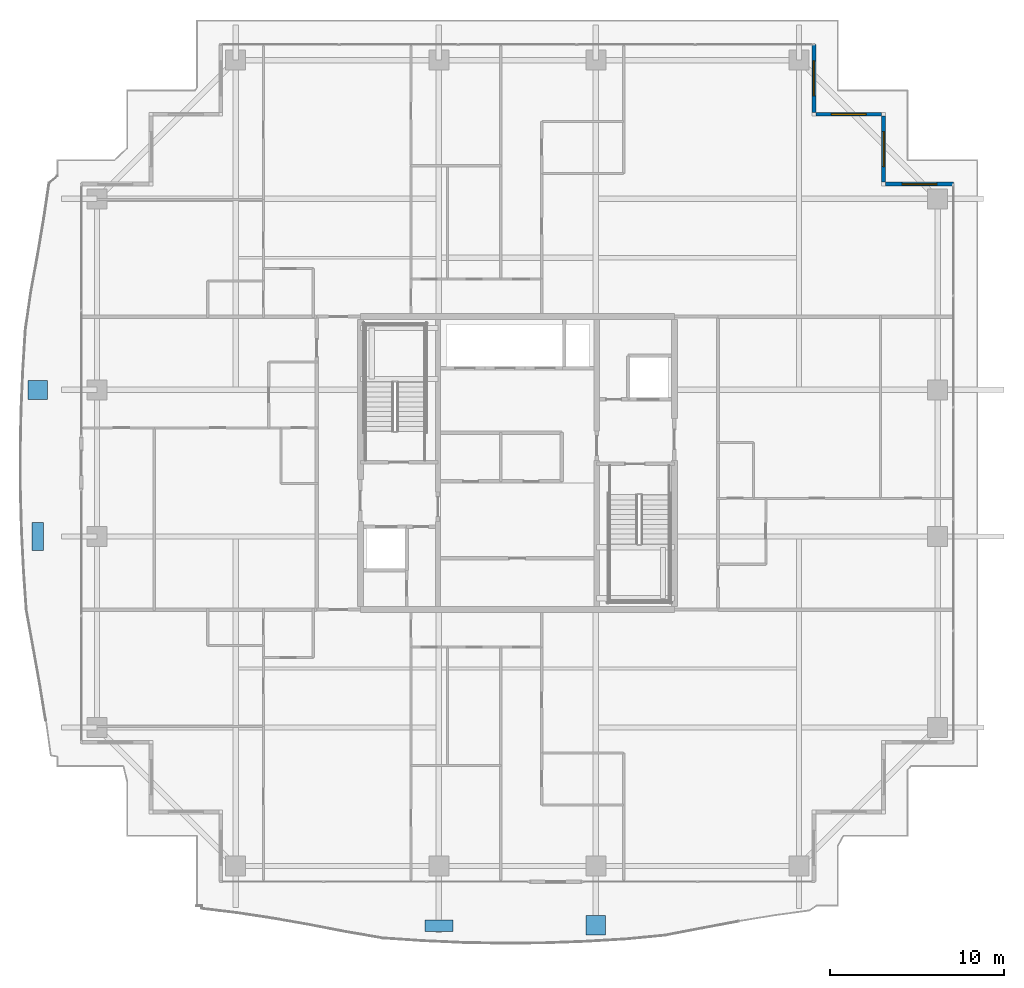
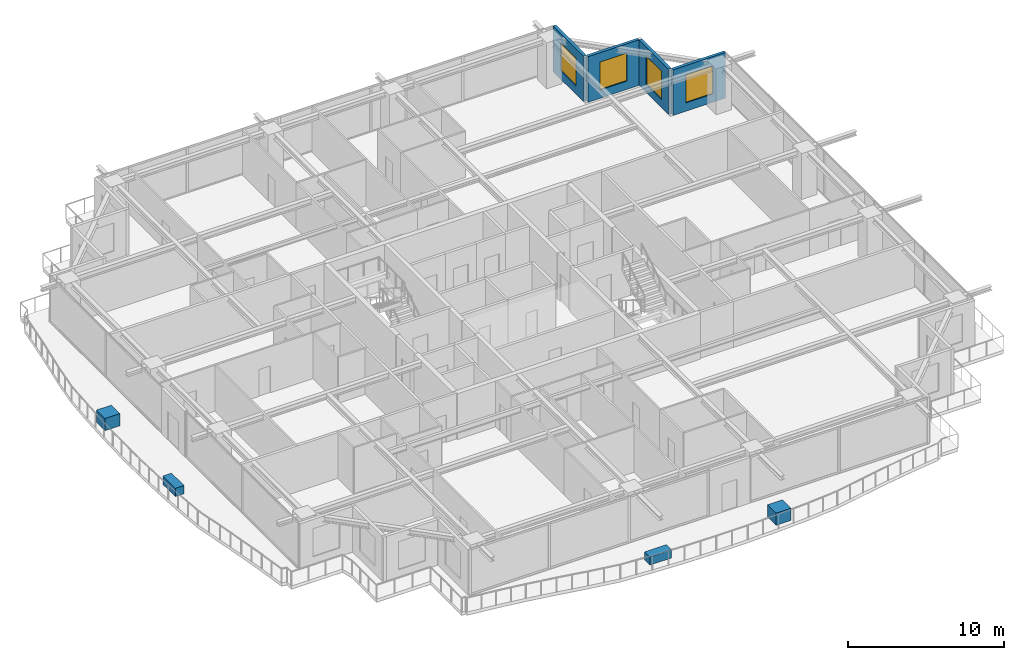
# One storey, part 29 of 36: 4 discrete accessories, 4 walls, 4 windows, 4 openings.
"""IFC4 building model written with IfcOpenShell, lengths in metres."""

from ifc_helpers import new_model, si_unit, direction, frame, frame_2d, origin, origin_2d, place, context, subcontext, project, spatial, rectangle, extrude, source, transform, mapped, material, layer, layer_set, type_object, element, fill, save


model = new_model("IFC4")

# Units and contexts
model_context = context("Model", 3, precision=1e-05, world=origin(), true_north=direction((0.0, 1.0)))
body_context = subcontext(model_context, "Body", "Model", "MODEL_VIEW")
ifc_project = project(units=[si_unit("LENGTHUNIT", "METRE"), si_unit("AREAUNIT", "SQUARE_METRE"), si_unit("VOLUMEUNIT", "CUBIC_METRE"), si_unit("PLANEANGLEUNIT", "RADIAN"), si_unit("MASSUNIT", "GRAM", prefix="KILO")], contexts=[model_context])

# Site, building, storey
site_placement = place(None, origin())
site = spatial("IfcSite", under=ifc_project, at=site_placement, CompositionType="ELEMENT")
building_placement = place(site_placement, origin())
building = spatial("IfcBuilding", under=site, at=building_placement, Name="Serunith Strait Residences", CompositionType="ELEMENT")
storey_placement = place(building_placement, frame((0.0, 0.0, 225.85009765625)))
storey = spatial("IfcBuildingStorey", under=building, at=storey_placement, Name="L56", CompositionType="ELEMENT", Elevation=225.85009765625)

# Wall, opening, window
ifc_material_1 = material(Name="Pale-Champagne Aluminium Insulated Panel", Category="aluminium")
ifc_layer = layer(ifc_material_1, 0.219970703125, Name="Pale-Champagne Aluminium Insulated Panel")
ifc_layer_set = layer_set([ifc_layer], Name="Pale-Champagne Aluminium Insulated Panel")
wall_type = type_object("IfcWallType", Name="EW-ALUM-220", PredefinedType="ELEMENTEDWALL", material=ifc_layer_set)
wall_1_placement = place(storey_placement, frame((57.39990234375, 41.199951171875, 0.0), z_axis=(0.0, 0.0, 1.0), x_axis=(-1.0, 0.0, 0.0)))
wall_1 = element("IfcWall", 1, at=wall_1_placement, inside=storey, type_object=wall_type, Name="L56 Girih Serrated Corner Wall 07", PredefinedType="ELEMENTEDWALL", context=body_context, shape_type="SweptSolid", body=[
    extrude(rectangle(XDim=3.889892578125, YDim=0.219970703125, at=frame_2d((1.94482421875, 0.0))), origin(), (0.0, 0.0, 1.0), 3.574951171875),
])
opening_1_placement = place(wall_1_placement, frame((0.945068359375, 0.0, 0.64990234375)))
opening_1 = element("IfcOpeningElement", 2, at=opening_1_placement, cuts=wall_1, Name="Opening W-04", PredefinedType="OPENING", context=body_context, shape_type="SweptSolid", body=[
    extrude(rectangle(XDim=2.0, YDim=2.199951171875, at=frame_2d((1.0, 1.10009765625))), frame((0.0, 0.1201171875, 0.0), z_axis=(0.0, -1.0, 0.0), x_axis=(1.0, 0.0, 0.0)), (0.0, 0.0, 1.0), 0.239990234375),
])
ifc_material_2 = material(Name="Ceramic-Fritted Operable Aluminium Window Glass", Category="aluminium")
window_type = type_object("IfcWindowType", Name="WIN-C4", PartitioningType="TRIPLE_PANEL_VERTICAL", PredefinedType="WINDOW", material=ifc_material_2)
shared_shape_1 = source(origin(), body_context, "Body", "SweptSolid", [
    extrude(rectangle(XDim=2.0, YDim=2.199951171875, at=frame_2d((1.0, 1.10009765625))), frame((0.0, 0.030029296875, 0.0), z_axis=(0.0, -1.0, 0.0), x_axis=(1.0, 0.0, 0.0)), (0.0, 0.0, 1.0), 0.06005859375),
])
window_1_placement = place(opening_1_placement, origin())
window_1 = element("IfcWindow", 3, at=window_1_placement, inside=storey, type_object=window_type, Name="L56 Corner Operable Fritted Window 07", OverallHeight=2.199951171875, OverallWidth=2.0, PartitioningType="SINGLE_PANEL", PredefinedType="WINDOW", context=body_context, shape_type="MappedRepresentation", body=[
    mapped(shared_shape_1, transform((0.0, 0.0, 0.0), scale=1.0)),
])
fill(opening_1, window_1)

wall_2_placement = place(storey_placement, frame((53.39990234375, 41.31005859375, 0.0), z_axis=(0.0, 0.0, 1.0), x_axis=(0.0, 1.0, 0.0)))
wall_2 = element("IfcWall", 4, at=wall_2_placement, inside=storey, type_object=wall_type, Name="L56 Girih Serrated Corner Wall 08", PredefinedType="ELEMENTEDWALL", context=body_context, shape_type="SweptSolid", body=[
    extrude(rectangle(XDim=3.780029296875, YDim=0.219970703125, at=frame_2d((1.89013671875, 0.0))), origin(), (0.0, 0.0, 1.0), 3.574951171875),
])
opening_2_placement = place(wall_2_placement, frame((0.889892578125, 0.0, 0.64990234375)))
opening_2 = element("IfcOpeningElement", 5, at=opening_2_placement, cuts=wall_2, Name="Opening W-04", PredefinedType="OPENING", context=body_context, shape_type="SweptSolid", body=[
    extrude(rectangle(XDim=2.0, YDim=2.199951171875, at=frame_2d((1.0, 1.10009765625))), frame((0.0, 0.1201171875, 0.0), z_axis=(0.0, -1.0, 0.0), x_axis=(1.0, 0.0, 0.0)), (0.0, 0.0, 1.0), 0.239990234375),
])
window_2_placement = place(opening_2_placement, origin())
window_2 = element("IfcWindow", 6, at=window_2_placement, inside=storey, type_object=window_type, Name="L56 Corner Operable Fritted Window 08", OverallHeight=2.199951171875, OverallWidth=2.0, PartitioningType="SINGLE_PANEL", PredefinedType="WINDOW", context=body_context, shape_type="MappedRepresentation", body=[
    mapped(shared_shape_1, transform((0.0, 0.0, 0.0), scale=1.0)),
])
fill(opening_2, window_2)

wall_3_placement = place(storey_placement, frame((53.2900390625, 45.199951171875, 0.0), z_axis=(0.0, 0.0, 1.0), x_axis=(-1.0, 0.0, 0.0)))
wall_3 = element("IfcWall", 7, at=wall_3_placement, inside=storey, type_object=wall_type, Name="L56 Girih Serrated Corner Wall 09", PredefinedType="ELEMENTEDWALL", context=body_context, shape_type="SweptSolid", body=[
    extrude(rectangle(XDim=3.780029296875, YDim=0.219970703125, at=frame_2d((1.89013671875, 0.0))), origin(), (0.0, 0.0, 1.0), 3.574951171875),
])
opening_3_placement = place(wall_3_placement, frame((0.889892578125, 0.0, 0.64990234375)))
opening_3 = element("IfcOpeningElement", 8, at=opening_3_placement, cuts=wall_3, Name="Opening W-04", PredefinedType="OPENING", context=body_context, shape_type="SweptSolid", body=[
    extrude(rectangle(XDim=2.0, YDim=2.199951171875, at=frame_2d((1.0, 1.10009765625))), frame((0.0, 0.1201171875, 0.0), z_axis=(0.0, -1.0, 0.0), x_axis=(1.0, 0.0, 0.0)), (0.0, 0.0, 1.0), 0.239990234375),
])
window_3_placement = place(opening_3_placement, origin())
window_3 = element("IfcWindow", 9, at=window_3_placement, inside=storey, type_object=window_type, Name="L56 Corner Operable Fritted Window 09", OverallHeight=2.199951171875, OverallWidth=2.0, PartitioningType="SINGLE_PANEL", PredefinedType="WINDOW", context=body_context, shape_type="MappedRepresentation", body=[
    mapped(shared_shape_1, transform((0.0, 0.0, 0.0), scale=1.0)),
])
fill(opening_3, window_3)

wall_4_placement = place(storey_placement, frame((49.39990234375, 45.31005859375, 0.0), z_axis=(0.0, 0.0, 1.0), x_axis=(0.0, 1.0, 0.0)))
wall_4 = element("IfcWall", 10, at=wall_4_placement, inside=storey, type_object=wall_type, Name="L56 Girih Serrated Corner Wall 10", PredefinedType="ELEMENTEDWALL", context=body_context, shape_type="SweptSolid", body=[
    extrude(rectangle(XDim=3.889892578125, YDim=0.219970703125, at=frame_2d((1.94482421875, 0.0))), origin(), (0.0, 0.0, 1.0), 3.574951171875),
])
opening_4_placement = place(wall_4_placement, frame((0.945068359375, 0.0, 0.64990234375)))
opening_4 = element("IfcOpeningElement", 11, at=opening_4_placement, cuts=wall_4, Name="Opening W-04", PredefinedType="OPENING", context=body_context, shape_type="SweptSolid", body=[
    extrude(rectangle(XDim=2.0, YDim=2.199951171875, at=frame_2d((1.0, 1.10009765625))), frame((0.0, 0.1201171875, 0.0), z_axis=(0.0, -1.0, 0.0), x_axis=(1.0, 0.0, 0.0)), (0.0, 0.0, 1.0), 0.239990234375),
])
window_4_placement = place(opening_4_placement, origin())
window_4 = element("IfcWindow", 12, at=window_4_placement, inside=storey, type_object=window_type, Name="L56 Corner Operable Fritted Window 10", OverallHeight=2.199951171875, OverallWidth=2.0, PartitioningType="SINGLE_PANEL", PredefinedType="WINDOW", context=body_context, shape_type="MappedRepresentation", body=[
    mapped(shared_shape_1, transform((0.0, 0.0, 0.0), scale=1.0)),
])
fill(opening_4, window_4)

# Discrete accessories
ifc_material_3 = material(Name="GFRC Root-Anchored Structural Planter")
discrete_accessory_type_1 = type_object("IfcDiscreteAccessoryType", Name="ACC-PLANTER-TREE", PredefinedType="USERDEFINED", material=ifc_material_3)
shared_shape_2 = source(origin(), body_context, "Body", "SweptSolid", [
    extrude(rectangle(XDim=1.10009765625, YDim=1.10009765625, at=origin_2d()), origin(), (0.0, 0.0, 1.0), 0.949951171875),
])
for number, where, z_axis, x_axis, name in (
    (13, (36.89990234375, -1.288818359375, -0.05029296875), (0.0, 0.0, 1.0), (1.0, 0.0, 0.0), "L56 Vertical-Forest Tree Planter 03"),
    (14, (4.906982421875, 29.39990234375, -0.05029296875), (0.0, 0.0, 1.0), (0.0, -1.0, 0.0), "L56 Vertical-Forest Tree Planter 15"),
):
    element("IfcDiscreteAccessory", number, at=place(storey_placement, frame(where, z_axis=z_axis, x_axis=x_axis)), inside=storey, type_object=discrete_accessory_type_1, Name=name, ObjectType="PLANTER", PredefinedType="USERDEFINED", context=body_context, shape_type="MappedRepresentation", body=[
        mapped(shared_shape_2, transform((0.0, 0.0, 0.0), scale=1.0)),
    ])
ifc_material_4 = material(Name="GFRC Irrigated Shrub Trough Planter")
discrete_accessory_type_2 = type_object("IfcDiscreteAccessoryType", Name="ACC-PLANTER-SHRUB", PredefinedType="USERDEFINED", material=ifc_material_4)
shared_shape_3 = source(origin(), body_context, "Body", "SweptSolid", [
    extrude(rectangle(XDim=1.60009765625, YDim=0.64990234375, at=origin_2d()), origin(), (0.0, 0.0, 1.0), 0.64990234375),
])
for number, where, z_axis, x_axis, name in (
    (15, (27.89990234375, -1.326171875, -0.050048828125), (0.0, 0.0, 1.0), (1.0, 0.0, 0.0), "L56 Vertical-Forest Shrub Planter 02"),
    (16, (4.899658203125, 21.0, -0.050048828125), (0.0, 0.0, 1.0), (0.0, -1.0, 0.0), "L56 Vertical-Forest Shrub Planter 14"),
):
    element("IfcDiscreteAccessory", number, at=place(storey_placement, frame(where, z_axis=z_axis, x_axis=x_axis)), inside=storey, type_object=discrete_accessory_type_2, Name=name, ObjectType="PLANTER", PredefinedType="USERDEFINED", context=body_context, shape_type="MappedRepresentation", body=[
        mapped(shared_shape_3, transform((0.0, 0.0, 0.0), scale=1.0)),
    ])

save(model, "model.ifc")
